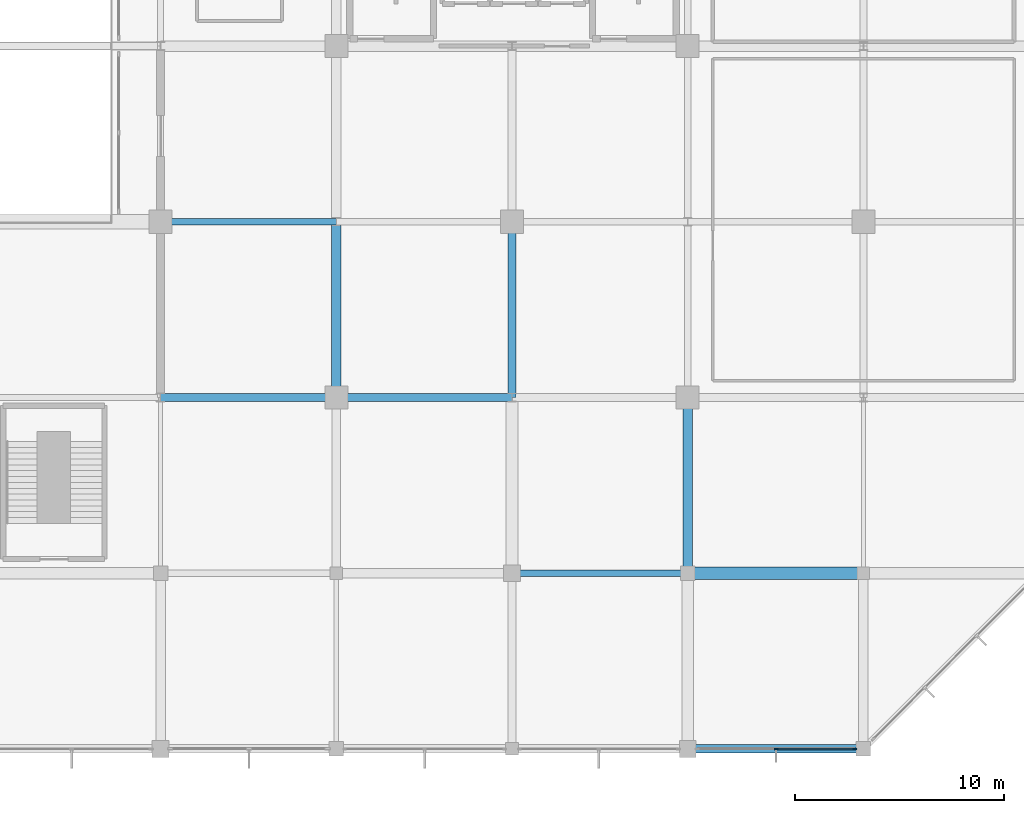
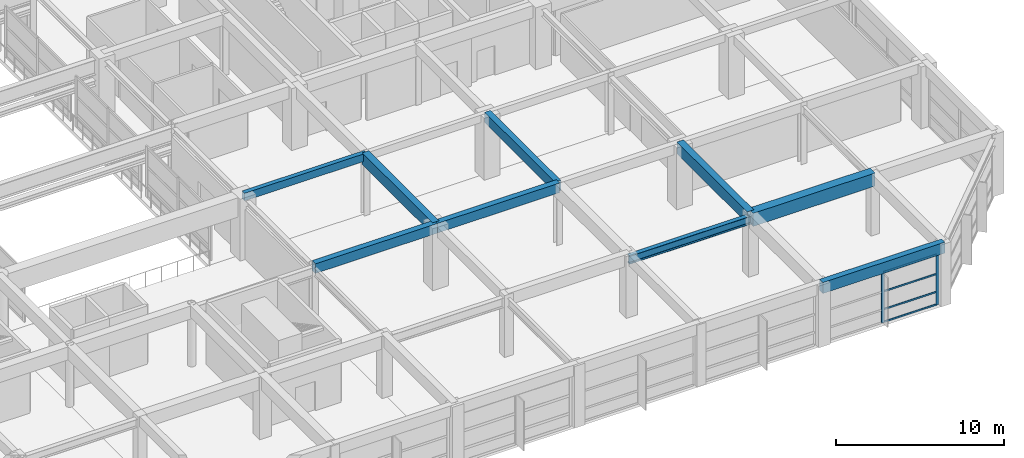
# One storey, part 34 of 62: 9 beams, 6 members, 1 element without a shape of its own.
"""IFC4 building model written with IfcOpenShell, lengths in metres."""

from ifc_helpers import new_model, si_unit, direction, frame, origin, origin_2d, place, context, subcontext, project, spatial, rectangle, i_section, extrude, material, material_profile, profile_set, type_object, element, aggregate, save


model = new_model("IFC4")

# Units and contexts
model_context = context("Model", 3, precision=1e-05, world=origin(), true_north=direction((0.0, 1.0)))
body_context = subcontext(model_context, "Body", "Model", "MODEL_VIEW")
ifc_project = project(units=[si_unit("LENGTHUNIT", "METRE"), si_unit("AREAUNIT", "SQUARE_METRE"), si_unit("VOLUMEUNIT", "CUBIC_METRE"), si_unit("PLANEANGLEUNIT", "RADIAN"), si_unit("MASSUNIT", "GRAM", prefix="KILO")], contexts=[model_context])

# Site, building, storey
site_placement = place(None, origin())
site = spatial("IfcSite", under=ifc_project, at=site_placement, CompositionType="ELEMENT")
building_placement = place(site_placement, origin())
building = spatial("IfcBuilding", under=site, at=building_placement, Name="Xuanlan Plaza Opera House", CompositionType="ELEMENT")
storey_placement = place(building_placement, frame((0.0, 0.0, 14.39990234375)))
storey = spatial("IfcBuildingStorey", under=building, at=storey_placement, Name="L03", CompositionType="ELEMENT", Elevation=14.39990234375)

# Curtain wall, members
ifc_material_1 = material(Name="Anodised Aluminium 6063-T6 and Low-E Glass", Category="aluminium")
curtain_wall_type = type_object("IfcCurtainWallType", Name="ENV-CW-CW-03", PredefinedType="USERDEFINED", material=ifc_material_1)
curtain_wall_placement = place(storey_placement, origin())
curtain_wall = element("IfcCurtainWall", 1, at=curtain_wall_placement, inside=storey, type_object=curtain_wall_type, Name="Unitised Curtain Wall L03-018", ObjectType="UNITISED CURTAIN WALL", PredefinedType="USERDEFINED")
ifc_material_2 = material(Name="Anodised Aluminium 6063-T6", Category="aluminium")
ifc_material_profile_1 = material_profile(ifc_material_2, rectangle(XDim=0.074951171875, YDim=0.199951171875, at=origin_2d()), Name="ALU-M 75x200")
ifc_profile_set_1 = profile_set([ifc_material_profile_1], Name="Anodised Aluminium 6063-T6")
member_type_1 = type_object("IfcMemberType", Name="ENV-CWM-03", PredefinedType="MULLION", material=ifc_profile_set_1)
member_1_placement = place(storey_placement, frame((155.425048828125, 16.800048828125, 0.0), z_axis=(0.0, 0.0, 1.0), x_axis=(0.0, 1.0, 0.0)))
member_1 = element("IfcMember", 2, at=member_1_placement, type_object=member_type_1, Name="CW-03 mullion 2", PredefinedType="MULLION", context=body_context, shape_type="SweptSolid", body=[
    extrude(rectangle(XDim=0.074951171875, YDim=0.199951171875, at=origin_2d()), origin(), (0.0, 0.0, 1.0), 3.68017578125),
])
member_2_placement = place(storey_placement, frame((159.1923828125, 16.800048828125, 0.0), z_axis=(0.0, 0.0, 1.0), x_axis=(0.0, 1.0, 0.0)))
member_2 = element("IfcMember", 3, at=member_2_placement, type_object=member_type_1, Name="CW-03 mullion 3", PredefinedType="MULLION", context=body_context, shape_type="SweptSolid", body=[
    extrude(rectangle(XDim=0.074951171875, YDim=0.199951171875, at=origin_2d()), origin(), (0.0, 0.0, 1.0), 3.68017578125),
])
ifc_material_profile_2 = material_profile(ifc_material_2, rectangle(XDim=0.06494140625, YDim=0.1201171875, at=origin_2d()), Name="ALU-T 65x120")
ifc_profile_set_2 = profile_set([ifc_material_profile_2], Name="Anodised Aluminium 6063-T6")
member_type_2 = type_object("IfcMemberType", Name="ENV-CWT-01", PredefinedType="USERDEFINED", material=ifc_profile_set_2)
member_3_placement = place(storey_placement, frame((155.46240234375, 16.800048828125, 0.03271484375), z_axis=(1.0, 0.0, 0.0), x_axis=(0.0, 1.0, 0.0)))
member_3 = element("IfcMember", 4, at=member_3_placement, type_object=member_type_2, Name="CW-03 transom 2.1", ObjectType="TRANSOM", PredefinedType="USERDEFINED", context=body_context, shape_type="SweptSolid", body=[
    extrude(rectangle(XDim=0.06494140625, YDim=0.1201171875, at=origin_2d()), origin(), (0.0, 0.0, 1.0), 3.692626953125),
])
member_4_placement = place(storey_placement, frame((155.46240234375, 16.800048828125, 0.9501953125), z_axis=(1.0, 0.0, 0.0), x_axis=(0.0, 1.0, 0.0)))
member_4 = element("IfcMember", 5, at=member_4_placement, type_object=member_type_2, Name="CW-03 transom 2.2", ObjectType="TRANSOM", PredefinedType="USERDEFINED", context=body_context, shape_type="SweptSolid", body=[
    extrude(rectangle(XDim=0.06494140625, YDim=0.1201171875, at=origin_2d()), origin(), (0.0, 0.0, 1.0), 3.692626953125),
])
member_5_placement = place(storey_placement, frame((155.46240234375, 16.800048828125, 2.25), z_axis=(1.0, 0.0, 0.0), x_axis=(0.0, 1.0, 0.0)))
member_5 = element("IfcMember", 6, at=member_5_placement, type_object=member_type_2, Name="CW-03 transom 2.3", ObjectType="TRANSOM", PredefinedType="USERDEFINED", context=body_context, shape_type="SweptSolid", body=[
    extrude(rectangle(XDim=0.06494140625, YDim=0.1201171875, at=origin_2d()), origin(), (0.0, 0.0, 1.0), 3.692626953125),
])
member_6_placement = place(storey_placement, frame((155.46240234375, 16.800048828125, 3.647705078125), z_axis=(1.0, 0.0, 0.0), x_axis=(0.0, 1.0, 0.0)))
member_6 = element("IfcMember", 7, at=member_6_placement, type_object=member_type_2, Name="CW-03 transom 2.4", ObjectType="TRANSOM", PredefinedType="USERDEFINED", context=body_context, shape_type="SweptSolid", body=[
    extrude(rectangle(XDim=0.06494140625, YDim=0.1201171875, at=origin_2d()), origin(), (0.0, 0.0, 1.0), 3.692626953125),
])
aggregate(curtain_wall, [member_1, member_2, member_3, member_4, member_5, member_6])

# Beams
ifc_material_3 = material(Name="Concrete C50", Category="concrete")
ifc_material_profile_3 = material_profile(ifc_material_3, rectangle(XDim=0.60009765625, YDim=0.949951171875, at=origin_2d()), Name="RC-BM 600x950")
ifc_profile_set_3 = profile_set([ifc_material_profile_3], Name="Concrete C50")
beam_type_1 = type_object("IfcBeamType", Name="STR-BM-B-01", PredefinedType="BEAM", material=ifc_profile_set_3)
beam_1_placement = place(storey_placement, frame((151.199951171875, 25.199951171875, 4.025146484375), z_axis=(1.0, 0.0, 0.0), x_axis=(0.0, 1.0, 0.0)))
element("IfcBeam", 8, at=beam_1_placement, inside=storey, type_object=beam_type_1, Name="Grid Beam X L03 19-20/D", PredefinedType="BEAM", context=body_context, shape_type="SweptSolid", body=[
    extrude(rectangle(XDim=0.60009765625, YDim=0.949951171875, at=origin_2d()), origin(), (0.0, 0.0, 1.0), 8.400146484375),
])
ifc_material_4 = material(Name="Concrete C40", Category="concrete")
ifc_material_profile_4 = material_profile(ifc_material_4, rectangle(XDim=0.449951171875, YDim=0.85009765625, at=origin_2d()), Name="RC-BM 450x850")
ifc_profile_set_4 = profile_set([ifc_material_profile_4], Name="Concrete C40")
beam_type_2 = type_object("IfcBeamType", Name="STR-BM-B-04", PredefinedType="BEAM", material=ifc_profile_set_4)
beam_2_placement = place(storey_placement, frame((134.39990234375, 33.60009765625, 4.0751953125), z_axis=(0.0, 1.0, 0.0), x_axis=(-1.0, 0.0, 0.0)))
element("IfcBeam", 9, at=beam_2_placement, inside=storey, type_object=beam_type_2, Name="Grid Beam Y L03 17/E-F", PredefinedType="BEAM", context=body_context, shape_type="SweptSolid", body=[
    extrude(rectangle(XDim=0.449951171875, YDim=0.85009765625, at=origin_2d()), origin(), (0.0, 0.0, 1.0), 8.39990234375),
])
beam_3_placement = place(storey_placement, frame((151.199951171875, 25.199951171875, 4.0751953125), z_axis=(0.0, 1.0, 0.0), x_axis=(-1.0, 0.0, 0.0)))
element("IfcBeam", 10, at=beam_3_placement, inside=storey, type_object=beam_type_2, Name="Grid Beam Y L03 19/D-E", PredefinedType="BEAM", context=body_context, shape_type="SweptSolid", body=[
    extrude(rectangle(XDim=0.449951171875, YDim=0.85009765625, at=origin_2d()), origin(), (0.0, 0.0, 1.0), 8.400146484375),
])
ifc_material_profile_5 = material_profile(ifc_material_4, rectangle(XDim=0.39990234375, YDim=0.75, at=origin_2d()), Name="RC-BM 400x750")
ifc_profile_set_5 = profile_set([ifc_material_profile_5], Name="Concrete C40")
beam_type_3 = type_object("IfcBeamType", Name="STR-BM-B-06", PredefinedType="BEAM", material=ifc_profile_set_5)
beam_4_placement = place(storey_placement, frame((142.800048828125, 33.60009765625, 4.125), z_axis=(0.0, 1.0, 0.0), x_axis=(-1.0, 0.0, 0.0)))
element("IfcBeam", 11, at=beam_4_placement, inside=storey, type_object=beam_type_3, Name="Grid Beam Y L03 18/E-F", PredefinedType="BEAM", context=body_context, shape_type="SweptSolid", body=[
    extrude(rectangle(XDim=0.39990234375, YDim=0.75, at=origin_2d()), origin(), (0.0, 0.0, 1.0), 8.39990234375),
])
ifc_material_profile_6 = material_profile(ifc_material_4, rectangle(XDim=0.39990234375, YDim=0.699951171875, at=origin_2d()), Name="RC-BM 400x700")
ifc_profile_set_6 = profile_set([ifc_material_profile_6], Name="Concrete C40")
beam_type_4 = type_object("IfcBeamType", Name="STR-BM-B-07", PredefinedType="BEAM", material=ifc_profile_set_6)
beam_5_placement = place(storey_placement, frame((126.0, 33.60009765625, 4.150146484375), z_axis=(1.0, 0.0, 0.0), x_axis=(0.0, 1.0, 0.0)))
element("IfcBeam", 12, at=beam_5_placement, inside=storey, type_object=beam_type_4, Name="Grid Beam X L03 16-17/E", PredefinedType="BEAM", context=body_context, shape_type="SweptSolid", body=[
    extrude(rectangle(XDim=0.39990234375, YDim=0.699951171875, at=origin_2d()), origin(), (0.0, 0.0, 1.0), 8.39990234375),
])
beam_6_placement = place(storey_placement, frame((134.39990234375, 33.60009765625, 4.150146484375), z_axis=(1.0, 0.0, 0.0), x_axis=(0.0, 1.0, 0.0)))
element("IfcBeam", 13, at=beam_6_placement, inside=storey, type_object=beam_type_4, Name="Grid Beam X L03 17-18/E", PredefinedType="BEAM", context=body_context, shape_type="SweptSolid", body=[
    extrude(rectangle(XDim=0.39990234375, YDim=0.699951171875, at=origin_2d()), origin(), (0.0, 0.0, 1.0), 8.400146484375),
])
ifc_material_profile_7 = material_profile(ifc_material_4, rectangle(XDim=0.300048828125, YDim=0.550048828125, at=origin_2d()), Name="RC-BM 300x550")
ifc_profile_set_7 = profile_set([ifc_material_profile_7], Name="Concrete C40")
beam_type_5 = type_object("IfcBeamType", Name="STR-BM-B-09", PredefinedType="BEAM", material=ifc_profile_set_7)
beam_7_placement = place(storey_placement, frame((126.0, 42.0, 4.22509765625), z_axis=(1.0, 0.0, 0.0), x_axis=(0.0, 1.0, 0.0)))
element("IfcBeam", 14, at=beam_7_placement, inside=storey, type_object=beam_type_5, Name="Grid Beam X L03 16-17/F", PredefinedType="BEAM", context=body_context, shape_type="SweptSolid", body=[
    extrude(rectangle(XDim=0.300048828125, YDim=0.550048828125, at=origin_2d()), origin(), (0.0, 0.0, 1.0), 8.39990234375),
])
ifc_material_5 = material(Name="Steel Q355B", Category="steel")
ifc_material_profile_8 = material_profile(ifc_material_5, i_section(OverallWidth=0.300048828125, OverallDepth=0.587890625, WebThickness=0.011962890625, FlangeThickness=0.02001953125, FilletRadius=0.02392578125, at=origin_2d()), Name="HM 588x300x12x20")
ifc_profile_set_8 = profile_set([ifc_material_profile_8], Name="Steel Q355B")
beam_type_6 = type_object("IfcBeamType", Name="STR-BM-SB-06", PredefinedType="BEAM", material=ifc_profile_set_8)
beam_8_placement = place(storey_placement, frame((142.800048828125, 25.199951171875, 3.941162109375), z_axis=(1.0, 0.0, 0.0), x_axis=(0.0, 1.0, 0.0)))
element("IfcBeam", 15, at=beam_8_placement, inside=storey, type_object=beam_type_6, Name="Grid Beam X L03 18-19/D", PredefinedType="BEAM", context=body_context, shape_type="SweptSolid", body=[
    extrude(i_section(OverallWidth=0.300048828125, OverallDepth=0.587890625, WebThickness=0.011962890625, FlangeThickness=0.02001953125, FilletRadius=0.02392578125, at=origin_2d()), origin(), (0.0, 0.0, 1.0), 8.39990234375),
])
ifc_material_profile_9 = material_profile(ifc_material_4, rectangle(XDim=0.39990234375, YDim=0.800048828125, at=origin_2d()), Name="RC-SPD 400x800")
ifc_profile_set_9 = profile_set([ifc_material_profile_9], Name="Concrete C40")
beam_type_7 = type_object("IfcBeamType", Name="STR-BM-SP-01", PredefinedType="SPANDREL", material=ifc_profile_set_9)
beam_9_placement = place(storey_placement, frame((151.199951171875, 16.800048828125, 4.10009765625), z_axis=(1.0, 0.0, 0.0), x_axis=(0.0, 1.0, 0.0)))
element("IfcBeam", 16, at=beam_9_placement, inside=storey, type_object=beam_type_7, Name="Grid Beam X L03 19-20/C", PredefinedType="SPANDREL", context=body_context, shape_type="SweptSolid", body=[
    extrude(rectangle(XDim=0.39990234375, YDim=0.800048828125, at=origin_2d()), origin(), (0.0, 0.0, 1.0), 8.400146484375),
])

save(model, "model.ifc")
